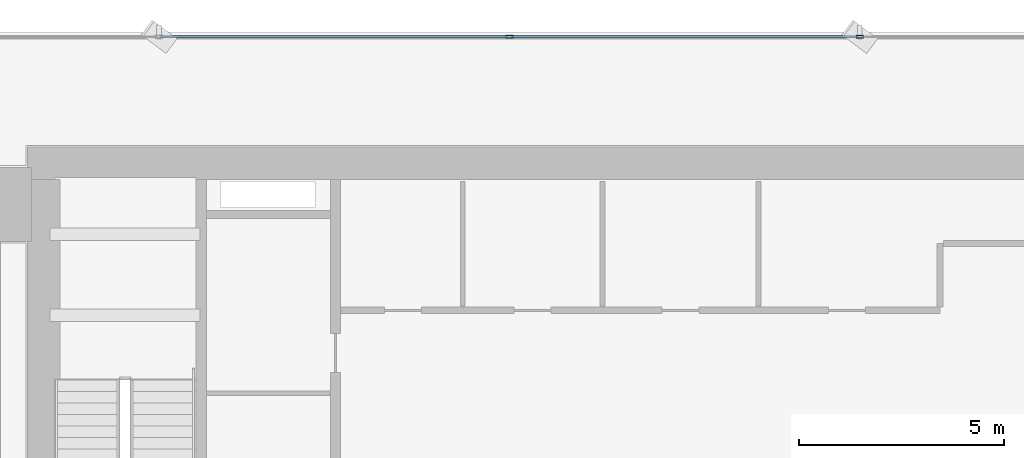
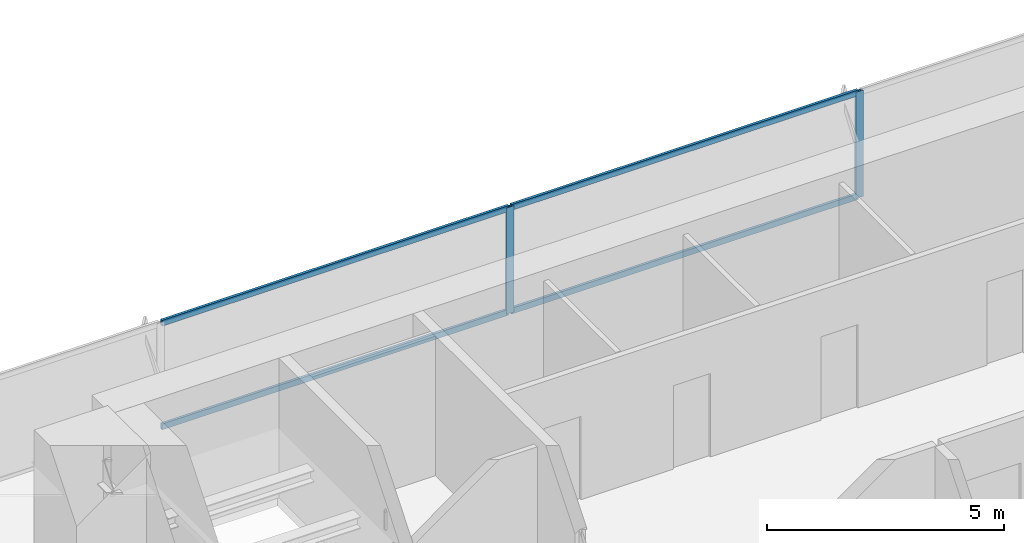
# One storey, part 19 of 34: 6 members, 1 element without a shape of its own.
"""IFC4 building model written with IfcOpenShell, lengths in metres."""

from ifc_helpers import new_model, si_unit, direction, frame, origin, origin_2d, place, context, subcontext, project, spatial, hollow_rectangle, extrude, source, transform, mapped, material, layer, layer_set, material_profile, profile_set, type_object, element, aggregate, save


model = new_model("IFC4")

# Units and contexts
model_context = context("Model", 3, precision=1e-05, world=origin(), true_north=direction((0.0, 1.0)))
body_context = subcontext(model_context, "Body", "Model", "MODEL_VIEW")
ifc_project = project(units=[si_unit("LENGTHUNIT", "METRE"), si_unit("AREAUNIT", "SQUARE_METRE"), si_unit("VOLUMEUNIT", "CUBIC_METRE"), si_unit("PLANEANGLEUNIT", "RADIAN"), si_unit("MASSUNIT", "GRAM", prefix="KILO")], contexts=[model_context])

# Site, building, storey
site_placement = place(None, origin())
site = spatial("IfcSite", under=ifc_project, at=site_placement, CompositionType="ELEMENT")
building_placement = place(site_placement, origin())
building = spatial("IfcBuilding", under=site, at=building_placement, Name="Sumidabori Civic Tower", CompositionType="ELEMENT")
storey_placement = place(building_placement, frame((0.0, 0.0, 41.60009765625)))
storey = spatial("IfcBuildingStorey", under=building, at=storey_placement, Name="L10", CompositionType="ELEMENT", Elevation=41.60009765625)

# Curtain wall, members
ifc_material = material(Name="Anodised Bronze Aluminium AW-6063-T6", Category="aluminium")
ifc_layer = layer(ifc_material, 0.179931640625, Name="Anodised Bronze Aluminium AW-6063-T6")
ifc_layer_set = layer_set([ifc_layer], Name="Anodised Bronze Aluminium AW-6063-T6")
curtain_wall_type = type_object("IfcCurtainWallType", Name="CW-SYS-2", PredefinedType="NOTDEFINED", material=ifc_layer_set)
curtain_wall_placement = place(storey_placement, origin())
curtain_wall = element("IfcCurtainWall", 1, at=curtain_wall_placement, inside=storey, type_object=curtain_wall_type, Name="Curtain Wall CW:L10:R07", PredefinedType="NOTDEFINED")
ifc_material_profile_1 = material_profile(ifc_material, hollow_rectangle(XDim=0.070068359375, YDim=0.179931640625, WallThickness=0.006103515625, at=origin_2d()), Name="ALU MULLION 180x70")
ifc_profile_set_1 = profile_set([ifc_material_profile_1], Name="Anodised Bronze Aluminium AW-6063-T6")
member_type_1 = type_object("IfcMemberType", Name="CW-MUL-180", PredefinedType="MULLION", material=ifc_profile_set_1)
shared_shape_1 = source(origin(), body_context, "Body", "SweptSolid", [
    extrude(hollow_rectangle(XDim=0.070068359375, YDim=0.179931640625, WallThickness=0.006103515625, at=origin_2d()), origin(), (0.0, 0.0, 1.0), 2.739990234375),
])
member_1_placement = place(storey_placement, frame((4.263916015625, 26.8798828125, 0.0), z_axis=(0.0, 0.0, 1.0), x_axis=(0.0, -1.0, 0.0)))
member_1 = element("IfcMember", 2, at=member_1_placement, type_object=member_type_1, Name="CW-2 mullion 3", PredefinedType="MULLION", context=body_context, shape_type="MappedRepresentation", body=[
    mapped(shared_shape_1, transform((0.0, 0.0, 0.0), x_axis=(1.0, 0.0, 0.0), y_axis=(0.0, 1.0, 0.0), z_axis=(0.0, 0.0, 1.0), scale=1.0)),
])
member_2_placement = place(storey_placement, frame((-4.263916015625, 26.8798828125, 0.0), z_axis=(0.0, 0.0, 1.0), x_axis=(0.0, -1.0, 0.0)))
member_2 = element("IfcMember", 3, at=member_2_placement, type_object=member_type_1, Name="CW-2 mullion 4", PredefinedType="MULLION", context=body_context, shape_type="MappedRepresentation", body=[
    mapped(shared_shape_1, transform((0.0, 0.0, 0.0), x_axis=(1.0, 0.0, 0.0), y_axis=(0.0, 1.0, 0.0), z_axis=(0.0, 0.0, 1.0), scale=1.0)),
])
ifc_material_profile_2 = material_profile(ifc_material, hollow_rectangle(XDim=0.06494140625, YDim=0.14990234375, WallThickness=0.0048828125, at=origin_2d()), Name="ALU TRANSOM 150x65")
ifc_profile_set_2 = profile_set([ifc_material_profile_2], Name="Anodised Bronze Aluminium AW-6063-T6")
member_type_2 = type_object("IfcMemberType", Name="CW-TRN-150", PredefinedType="USERDEFINED", material=ifc_profile_set_2)
shared_shape_2 = source(origin(), body_context, "Body", "SweptSolid", [
    extrude(hollow_rectangle(XDim=0.06494140625, YDim=0.14990234375, WallThickness=0.0048828125, at=origin_2d()), origin(), (0.0, 0.0, 1.0), 8.4580078125),
])
member_3_placement = place(storey_placement, frame((4.22900390625, 26.8798828125, 0.032470703125), z_axis=(-1.0, 0.0, 0.0), x_axis=(0.0, -1.0, 0.0)))
member_3 = element("IfcMember", 4, at=member_3_placement, type_object=member_type_2, Name="CW-2 transom 3.1", ObjectType="TRANSOM", PredefinedType="USERDEFINED", context=body_context, shape_type="MappedRepresentation", body=[
    mapped(shared_shape_2, transform((0.0, 0.0, 0.0), x_axis=(1.0, 0.0, 0.0), y_axis=(0.0, 1.0, 0.0), z_axis=(0.0, 0.0, 1.0), scale=1.0)),
])
member_4_placement = place(storey_placement, frame((4.22900390625, 26.8798828125, 2.70751953125), z_axis=(-1.0, 0.0, 0.0), x_axis=(0.0, -1.0, 0.0)))
member_4 = element("IfcMember", 5, at=member_4_placement, type_object=member_type_2, Name="CW-2 transom 3.2", ObjectType="TRANSOM", PredefinedType="USERDEFINED", context=body_context, shape_type="MappedRepresentation", body=[
    mapped(shared_shape_2, transform((0.0, 0.0, 0.0), x_axis=(1.0, 0.0, 0.0), y_axis=(0.0, 1.0, 0.0), z_axis=(0.0, 0.0, 1.0), scale=1.0)),
])
member_5_placement = place(storey_placement, frame((-4.299072265625, 26.8798828125, 0.032470703125), z_axis=(-1.0, 0.0, 0.0), x_axis=(0.0, -1.0, 0.0)))
member_5 = element("IfcMember", 6, at=member_5_placement, type_object=member_type_2, Name="CW-2 transom 4.1", ObjectType="TRANSOM", PredefinedType="USERDEFINED", context=body_context, shape_type="MappedRepresentation", body=[
    mapped(shared_shape_2, transform((0.0, 0.0, 0.0), x_axis=(1.0, 0.0, 0.0), y_axis=(0.0, 1.0, 0.0), z_axis=(0.0, 0.0, 1.0), scale=1.0)),
])
member_6_placement = place(storey_placement, frame((-4.299072265625, 26.8798828125, 2.70751953125), z_axis=(-1.0, 0.0, 0.0), x_axis=(0.0, -1.0, 0.0)))
member_6 = element("IfcMember", 7, at=member_6_placement, type_object=member_type_2, Name="CW-2 transom 4.2", ObjectType="TRANSOM", PredefinedType="USERDEFINED", context=body_context, shape_type="MappedRepresentation", body=[
    mapped(shared_shape_2, transform((0.0, 0.0, 0.0), x_axis=(1.0, 0.0, 0.0), y_axis=(0.0, 1.0, 0.0), z_axis=(0.0, 0.0, 1.0), scale=1.0)),
])
aggregate(curtain_wall, [member_1, member_2, member_3, member_4, member_5, member_6])

save(model, "model.ifc")
